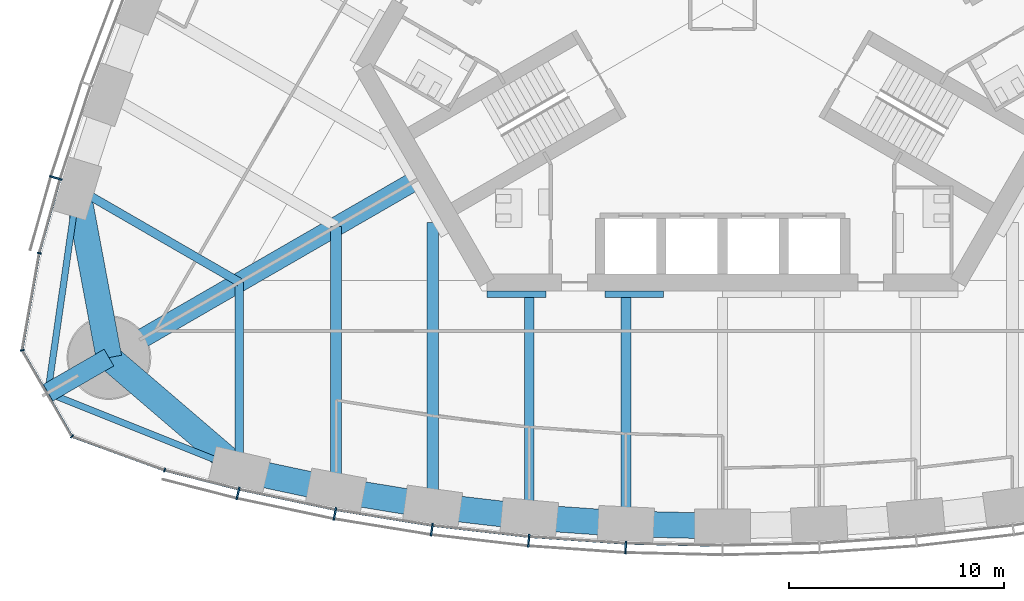
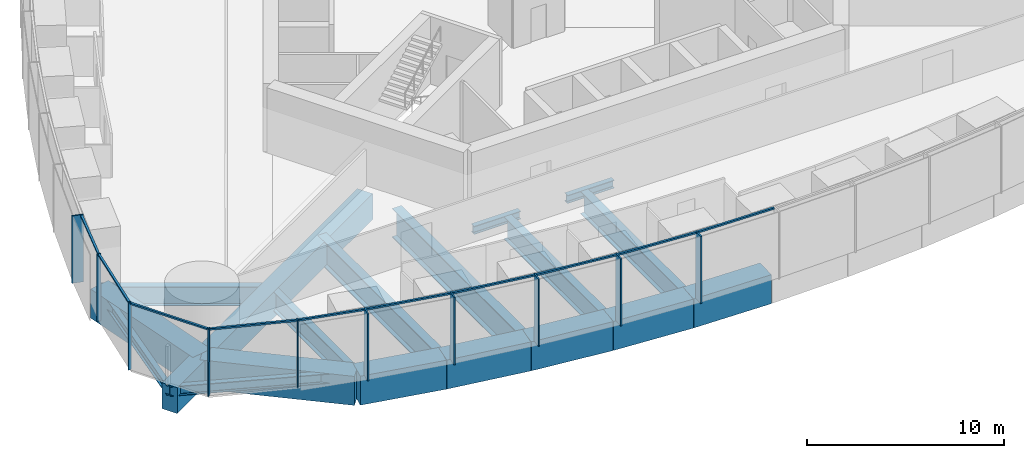
# One storey, part 2 of 19: 20 members, 19 beams, 3 elements without a shape of their own.
"""IFC4 building model written with IfcOpenShell, lengths in metres."""

from ifc_helpers import new_model, si_unit, direction, frame, origin, origin_2d, place, context, subcontext, project, spatial, rectangle, i_section, extrude, material, material_profile, profile_set, type_object, element, aggregate, save


model = new_model("IFC4")

# Units and contexts
model_context = context("Model", 3, precision=1e-05, world=origin(), true_north=direction((0.0, 1.0)))
body_context = subcontext(model_context, "Body", "Model", "MODEL_VIEW")
ifc_project = project(units=[si_unit("LENGTHUNIT", "METRE"), si_unit("AREAUNIT", "SQUARE_METRE"), si_unit("VOLUMEUNIT", "CUBIC_METRE"), si_unit("PLANEANGLEUNIT", "RADIAN"), si_unit("MASSUNIT", "GRAM", prefix="KILO")], contexts=[model_context])

# Site, building, storey
site_placement = place(None, origin())
site = spatial("IfcSite", under=ifc_project, at=site_placement, CompositionType="ELEMENT")
building_placement = place(site_placement, origin())
building = spatial("IfcBuilding", under=site, at=building_placement, Name="Trefoil Bronze Tower", CompositionType="ELEMENT")
storey_placement = place(building_placement, frame((0.0, 0.0, 189.699951171875)))
storey = spatial("IfcBuildingStorey", under=building, at=storey_placement, Name="L43", CompositionType="ELEMENT", Elevation=189.699951171875)

# Curtain wall, members
ifc_material_1 = material(Name="Tinted solar-control glass", Category="glass")
curtain_wall_type_1 = type_object("IfcCurtainWallType", Name="Bronze office curtain wall", PredefinedType="USERDEFINED", material=ifc_material_1)
curtain_wall_1_placement = place(storey_placement, origin())
curtain_wall_1 = element("IfcCurtainWall", 1, at=curtain_wall_1_placement, inside=storey, type_object=curtain_wall_type_1, Name="CW-A L43 F1", ObjectType="CURTAIN WALL", PredefinedType="USERDEFINED")
ifc_material_2 = material(Name="Bronze-finish aluminium", Category="aluminium")
ifc_material_profile_1 = material_profile(ifc_material_2, rectangle(XDim=0.60009765625, YDim=0.080078125, at=origin_2d()), Name="CW-A mullion")
ifc_profile_set_1 = profile_set([ifc_material_profile_1], Name="Bronze-finish aluminium")
member_type_1 = type_object("IfcMemberType", Name="Bronze office curtain wall mullion", PredefinedType="MULLION", material=ifc_profile_set_1)
member_1_placement = place(storey_placement, frame((-22.568115234375, -22.82421875, 0.0), z_axis=(0.0, 0.0, 1.0), x_axis=(0.227082662569, 0.973875487093, 0.0)))
member_1 = element("IfcMember", 2, at=member_1_placement, type_object=member_type_1, Name="CW-A L43 F1 mullion 2", PredefinedType="MULLION", context=body_context, shape_type="SweptSolid", body=[
    extrude(rectangle(XDim=0.60009765625, YDim=0.080078125, at=origin_2d()), origin(), (0.0, 0.0, 1.0), 4.179931640625),
])
member_2_placement = place(storey_placement, frame((-18.05517578125, -23.77783203125, 0.0), z_axis=(0.0, 0.0, 1.0), x_axis=(0.183825368167, 0.982958917767, 0.0)))
member_2 = element("IfcMember", 3, at=member_2_placement, type_object=member_type_1, Name="CW-A L43 F1 mullion 3", PredefinedType="MULLION", context=body_context, shape_type="SweptSolid", body=[
    extrude(rectangle(XDim=0.60009765625, YDim=0.080078125, at=origin_2d()), origin(), (0.0, 0.0, 1.0), 4.179931640625),
])
member_3_placement = place(storey_placement, frame((-13.541259765625, -24.51318359375, 0.0), z_axis=(0.0, 0.0, 1.0), x_axis=(0.137867887204, 0.990450627582, 0.0)))
member_3 = element("IfcMember", 4, at=member_3_placement, type_object=member_type_1, Name="CW-A L43 F1 mullion 4", PredefinedType="MULLION", context=body_context, shape_type="SweptSolid", body=[
    extrude(rectangle(XDim=0.60009765625, YDim=0.080078125, at=origin_2d()), origin(), (0.0, 0.0, 1.0), 4.179931640625),
])
member_4_placement = place(storey_placement, frame((-9.027587890625, -25.03515625, 0.0), z_axis=(0.0, 0.0, 1.0), x_axis=(0.091911396394, 0.995767189263, 0.0)))
member_4 = element("IfcMember", 5, at=member_4_placement, type_object=member_type_1, Name="CW-A L43 F1 mullion 5", PredefinedType="MULLION", context=body_context, shape_type="SweptSolid", body=[
    extrude(rectangle(XDim=0.60009765625, YDim=0.080078125, at=origin_2d()), origin(), (0.0, 0.0, 1.0), 4.179931640625),
])
member_5_placement = place(storey_placement, frame((-4.513671875, -25.346923828125, 0.0), z_axis=(0.0, 0.0, 1.0), x_axis=(0.045955542372, 0.998943485952, 0.0)))
member_5 = element("IfcMember", 6, at=member_5_placement, type_object=member_type_1, Name="CW-A L43 F1 mullion 6", PredefinedType="MULLION", context=body_context, shape_type="SweptSolid", body=[
    extrude(rectangle(XDim=0.60009765625, YDim=0.080078125, at=origin_2d()), origin(), (0.0, 0.0, 1.0), 4.179931640625),
])

# Curtain wall, member
curtain_wall_2_placement = place(storey_placement, origin())
curtain_wall_2 = element("IfcCurtainWall", 7, at=curtain_wall_2_placement, inside=storey, type_object=curtain_wall_type_1, Name="CW-A L43 F3", ObjectType="CURTAIN WALL", PredefinedType="USERDEFINED")
member_6_placement = place(storey_placement, frame((-31.05029296875, -8.132568359375, 0.0), z_axis=(0.0, 0.0, 1.0), x_axis=(0.95694224323, -0.290278389002, 0.0)))
member_6 = element("IfcMember", 8, at=member_6_placement, type_object=member_type_1, Name="CW-A L43 F3 mullion 12", PredefinedType="MULLION", context=body_context, shape_type="SweptSolid", body=[
    extrude(rectangle(XDim=0.60009765625, YDim=0.080078125, at=origin_2d()), origin(), (0.0, 0.0, 1.0), 4.179931640625),
])

# Member
ifc_material_3 = material(Name="Bronze-finish aluminium", Category="aluminium")
ifc_material_profile_2 = material_profile(ifc_material_3, rectangle(XDim=0.1201171875, YDim=0.10009765625, at=origin_2d()), Name="CW-A transom")
ifc_profile_set_2 = profile_set([ifc_material_profile_2], Name="Bronze-finish aluminium")
member_type_2 = type_object("IfcMemberType", Name="Bronze office curtain wall transom", PredefinedType="USERDEFINED", material=ifc_profile_set_2)
member_7_placement = place(storey_placement, frame((-25.93896484375, -21.75732421875, 4.130126953125), z_axis=(0.968935220916, -0.247314653162, 0.0), x_axis=(0.247314653162, 0.968935220916, 0.0)))
member_7 = element("IfcMember", 9, at=member_7_placement, type_object=member_type_2, Name="CW-A L43 F1 transom 1", ObjectType="TRANSOM", PredefinedType="USERDEFINED", context=body_context, shape_type="SweptSolid", body=[
    extrude(rectangle(XDim=0.1201171875, YDim=0.10009765625, at=origin_2d()), origin(), (0.0, 0.0, 1.0), 3.483642578125),
])

member_8_placement = place(storey_placement, frame((-22.4814453125, -22.63818359375, 4.130126953125), z_axis=(0.978395325657, -0.20674280334, 0.0), x_axis=(0.20674280334, 0.978395325657, 0.0)))
member_8 = element("IfcMember", 10, at=member_8_placement, type_object=member_type_2, Name="CW-A L43 F1 transom 2", ObjectType="TRANSOM", PredefinedType="USERDEFINED", context=body_context, shape_type="SweptSolid", body=[
    extrude(rectangle(XDim=0.1201171875, YDim=0.10009765625, at=origin_2d()), origin(), (0.0, 0.0, 1.0), 4.519287109375),
])

member_9_placement = place(storey_placement, frame((-17.9765625, -23.588134765625, 4.130126953125), z_axis=(0.986988367046, -0.160791676761, 0.0), x_axis=(0.160791676761, 0.986988367046, 0.0)))
member_9 = element("IfcMember", 11, at=member_9_placement, type_object=member_type_2, Name="CW-A L43 F1 transom 3", ObjectType="TRANSOM", PredefinedType="USERDEFINED", context=body_context, shape_type="SweptSolid", body=[
    extrude(rectangle(XDim=0.1201171875, YDim=0.10009765625, at=origin_2d()), origin(), (0.0, 0.0, 1.0), 4.479248046875),
])

member_10_placement = place(storey_placement, frame((-13.4716796875, -24.320068359375, 4.130126953125), z_axis=(0.993384885596, -0.114832352013, 0.0), x_axis=(0.114832352013, 0.993384885596, 0.0)))
member_10 = element("IfcMember", 12, at=member_10_placement, type_object=member_type_2, Name="CW-A L43 F1 transom 4", ObjectType="TRANSOM", PredefinedType="USERDEFINED", context=body_context, shape_type="SweptSolid", body=[
    extrude(rectangle(XDim=0.1201171875, YDim=0.10009765625, at=origin_2d()), origin(), (0.0, 0.0, 1.0), 4.449951171875),
])

member_11_placement = place(storey_placement, frame((-8.967041015625, -24.8388671875, 4.130126953125), z_axis=(0.997621320987, -0.06893257512, 0.0), x_axis=(0.06893257512, 0.997621320987, 0.0)))
member_11 = element("IfcMember", 13, at=member_11_placement, type_object=member_type_2, Name="CW-A L43 F1 transom 5", ObjectType="TRANSOM", PredefinedType="USERDEFINED", context=body_context, shape_type="SweptSolid", body=[
    extrude(rectangle(XDim=0.1201171875, YDim=0.10009765625, at=origin_2d()), origin(), (0.0, 0.0, 1.0), 4.4306640625),
])

member_12_placement = place(storey_placement, frame((-4.46240234375, -25.148193359375, 4.130126953125), z_axis=(0.999736131416, -0.022971015226, 0.0), x_axis=(0.022971015226, 0.999736131416, 0.0)))
member_12 = element("IfcMember", 14, at=member_12_placement, type_object=member_type_2, Name="CW-A L43 F1 transom 6", ObjectType="TRANSOM", PredefinedType="USERDEFINED", context=body_context, shape_type="SweptSolid", body=[
    extrude(rectangle(XDim=0.1201171875, YDim=0.10009765625, at=origin_2d()), origin(), (0.0, 0.0, 1.0), 4.42138671875),
])

aggregate(curtain_wall_1, [member_1, member_2, member_3, member_4, member_5, member_7, member_8, member_9, member_10, member_11, member_12])

member_13_placement = place(storey_placement, frame((-30.870361328125, -8.23095703125, 4.130126953125), z_axis=(-0.270284880437, -0.962780392097, 0.0), x_axis=(0.962780392097, -0.270284880437, 0.0)))
member_13 = element("IfcMember", 15, at=member_13_placement, type_object=member_type_2, Name="CW-A L43 F3 transom 12", ObjectType="TRANSOM", PredefinedType="USERDEFINED", context=body_context, shape_type="SweptSolid", body=[
    extrude(rectangle(XDim=0.1201171875, YDim=0.10009765625, at=origin_2d()), origin(), (0.0, 0.0, 1.0), 3.48388671875),
])

aggregate(curtain_wall_2, [member_6, member_13])

# Curtain wall, members
ifc_material_4 = material(Name="Tinted solar-control glass", Category="glass")
curtain_wall_type_2 = type_object("IfcCurtainWallType", Name="Bronze rounded corner curtain wall", PredefinedType="USERDEFINED", material=ifc_material_4)
curtain_wall_3_placement = place(storey_placement, origin())
curtain_wall_3 = element("IfcCurtainWall", 16, at=curtain_wall_3_placement, inside=storey, type_object=curtain_wall_type_2, Name="CW-B L43 K3", ObjectType="CURTAIN WALL", PredefinedType="USERDEFINED")
ifc_material_5 = material(Name="Bronze-finish aluminium", Category="aluminium")
ifc_material_profile_3 = material_profile(ifc_material_5, rectangle(XDim=0.199951171875, YDim=0.06005859375, at=origin_2d()), Name="CW-B mullion")
ifc_profile_set_3 = profile_set([ifc_material_profile_3], Name="Bronze-finish aluminium")
member_type_3 = type_object("IfcMemberType", Name="Bronze rounded corner curtain wall mullion", PredefinedType="MULLION", material=ifc_profile_set_3)
member_14_placement = place(storey_placement, frame((-31.824951171875, -11.63330078125, 0.0), z_axis=(0.0, 0.0, 1.0), x_axis=(0.984807753012, -0.173648177667, 0.0)))
member_14 = element("IfcMember", 17, at=member_14_placement, type_object=member_type_3, Name="CW-B L43 K3 mullion 1", PredefinedType="MULLION", context=body_context, shape_type="SweptSolid", body=[
    extrude(rectangle(XDim=0.199951171875, YDim=0.06005859375, at=origin_2d()), origin(), (0.0, 0.0, 1.0), 4.179931640625),
])
member_15_placement = place(storey_placement, frame((-32.616943359375, -16.158935546875, 0.0), z_axis=(0.0, 0.0, 1.0), x_axis=(0.984807753012, 0.173648177667, 0.0)))
member_15 = element("IfcMember", 18, at=member_15_placement, type_object=member_type_3, Name="CW-B L43 K3 mullion 2", PredefinedType="MULLION", context=body_context, shape_type="SweptSolid", body=[
    extrude(rectangle(XDim=0.199951171875, YDim=0.06005859375, at=origin_2d()), origin(), (0.0, 0.0, 1.0), 4.179931640625),
])
member_16_placement = place(storey_placement, frame((-30.302490234375, -20.16748046875, 0.0), z_axis=(0.0, 0.0, 1.0), x_axis=(0.642787609687, 0.766044443119, 0.0)))
member_16 = element("IfcMember", 19, at=member_16_placement, type_object=member_type_3, Name="CW-B L43 K3 mullion 3", PredefinedType="MULLION", context=body_context, shape_type="SweptSolid", body=[
    extrude(rectangle(XDim=0.199951171875, YDim=0.06005859375, at=origin_2d()), origin(), (0.0, 0.0, 1.0), 4.179931640625),
])
member_17_placement = place(storey_placement, frame((-25.9873046875, -21.74462890625, 0.0), z_axis=(0.0, 0.0, 1.0), x_axis=(0.342020143326, 0.939692620786, 0.0)))
member_17 = element("IfcMember", 20, at=member_17_placement, type_object=member_type_3, Name="CW-B L43 K3 mullion 4", PredefinedType="MULLION", context=body_context, shape_type="SweptSolid", body=[
    extrude(rectangle(XDim=0.199951171875, YDim=0.06005859375, at=origin_2d()), origin(), (0.0, 0.0, 1.0), 4.179931640625),
])
ifc_material_6 = material(Name="Bronze-finish aluminium", Category="aluminium")
ifc_material_profile_4 = material_profile(ifc_material_6, rectangle(XDim=0.1201171875, YDim=0.10009765625, at=origin_2d()), Name="CW-B transom")
ifc_profile_set_4 = profile_set([ifc_material_profile_4], Name="Bronze-finish aluminium")
member_type_4 = type_object("IfcMemberType", Name="Bronze rounded corner curtain wall transom", PredefinedType="USERDEFINED", material=ifc_profile_set_4)
member_18_placement = place(storey_placement, frame((-31.830078125, -11.662841796875, 4.130126953125), z_axis=(-0.173655350028, -0.984806488304, 0.0), x_axis=(0.984806488304, -0.173655350028, 0.0)))
member_18 = element("IfcMember", 21, at=member_18_placement, type_object=member_type_4, Name="CW-B L43 K3 transom 1", ObjectType="TRANSOM", PredefinedType="USERDEFINED", context=body_context, shape_type="SweptSolid", body=[
    extrude(rectangle(XDim=0.1201171875, YDim=0.10009765625, at=origin_2d()), origin(), (0.0, 0.0, 1.0), 4.500244140625),
])
member_19_placement = place(storey_placement, frame((-32.590087890625, -16.217529296875, 4.130126953125), z_axis=(0.500007335828, -0.866021168401, 0.0), x_axis=(0.866021168401, 0.500007335828, 0.0)))
member_19 = element("IfcMember", 22, at=member_19_placement, type_object=member_type_4, Name="CW-B L43 K3 transom 2", ObjectType="TRANSOM", PredefinedType="USERDEFINED", context=body_context, shape_type="SweptSolid", body=[
    extrude(rectangle(XDim=0.1201171875, YDim=0.10009765625, at=origin_2d()), origin(), (0.0, 0.0, 1.0), 4.50048828125),
])
member_20_placement = place(storey_placement, frame((-30.244140625, -20.195068359375, 4.130126953125), z_axis=(0.939680910753, -0.342052314664, 0.0), x_axis=(0.342052314664, 0.939680910753, 0.0)))
member_20 = element("IfcMember", 23, at=member_20_placement, type_object=member_type_4, Name="CW-B L43 K3 transom 3", ObjectType="TRANSOM", PredefinedType="USERDEFINED", context=body_context, shape_type="SweptSolid", body=[
    extrude(rectangle(XDim=0.1201171875, YDim=0.10009765625, at=origin_2d()), origin(), (0.0, 0.0, 1.0), 4.500244140625),
])
aggregate(curtain_wall_3, [member_14, member_15, member_16, member_17, member_18, member_19, member_20])

# Beams
ifc_material_7 = material(Name="Steel C355", Category="steel")
ifc_material_profile_5 = material_profile(ifc_material_7, i_section(OverallWidth=0.300048828125, OverallDepth=0.5, WebThickness=0.014404296875, FlangeThickness=0.028076171875, FilletRadius=0.027099609375, at=origin_2d()), Name="HEB 500")
ifc_profile_set_5 = profile_set([ifc_material_profile_5], Name="Steel C355")
beam_type_1 = type_object("IfcBeamType", Name="Core seat beam HEB 500", PredefinedType="BEAM", material=ifc_profile_set_5)
for number, where, z_axis, x_axis, name in (
    (24, (-10.9697265625, -13.550048828125, -0.449951171875), (1.0, 0.0, 0.0), (0.0, 1.0, 0.0), "Core seat beam F1/-2 L43"),
    (25, (-5.48486328125, -13.550048828125, -0.449951171875), (1.0, 0.0, 0.0), (0.0, 1.0, 0.0), "Core seat beam F1/-1 L43"),
):
    element("IfcBeam", number, at=place(storey_placement, frame(where, z_axis=z_axis, x_axis=x_axis)), inside=storey, type_object=beam_type_1, Name=name, PredefinedType="BEAM", context=body_context, shape_type="SweptSolid", body=[
        extrude(i_section(OverallWidth=0.300048828125, OverallDepth=0.5, WebThickness=0.014404296875, FlangeThickness=0.028076171875, FilletRadius=0.027099609375, at=origin_2d()), origin(), (0.0, 0.0, 1.0), 2.742431640625),
    ])
ifc_material_8 = material(Name="Concrete B80", Category="concrete")
ifc_material_profile_6 = material_profile(ifc_material_8, rectangle(XDim=0.89990234375, YDim=1.60009765625, at=origin_2d()), Name="RC 900x1600")
ifc_profile_set_6 = profile_set([ifc_material_profile_6], Name="Concrete B80")
beam_type_2 = type_object("IfcBeamType", Name="Corner cantilever RC 900x1600", PredefinedType="BEAM", material=ifc_profile_set_6)
beam_1_placement = place(storey_placement, frame((-28.578857421875, -16.5, -1.0), z_axis=(-0.866016004958, -0.500016278891, 0.0), x_axis=(0.500016278891, -0.866016004958, 0.0)))
element("IfcBeam", 26, at=beam_1_placement, inside=storey, type_object=beam_type_2, Name="Corner cantilever K3 L43", PredefinedType="BEAM", context=body_context, shape_type="SweptSolid", body=[
    extrude(rectangle(XDim=0.89990234375, YDim=1.60009765625, at=origin_2d()), origin(), (0.0, 0.0, 1.0), 3.28466796875),
])
ifc_material_9 = material(Name="Steel C355", Category="steel")
ifc_material_profile_7 = material_profile(ifc_material_9, i_section(OverallWidth=0.300048828125, OverallDepth=0.60009765625, WebThickness=0.015380859375, FlangeThickness=0.030029296875, FilletRadius=0.027099609375, at=origin_2d()), Name="HEB 600")
ifc_profile_set_7 = profile_set([ifc_material_profile_7], Name="Steel C355")
beam_type_3 = type_object("IfcBeamType", Name="Corner edge beam HEB 600", PredefinedType="BEAM", material=ifc_profile_set_7)
for number, where, z_axis, x_axis, name in (
    (27, (-22.5, -21.71044921875, -0.5), (-0.92852048463, 0.371281173266, 0.0), (-0.371281173266, -0.92852048463, 0.0), "Corner edge beam F1B L43"),
    (28, (-30.052001953125, -8.63037109375, -0.5), (-0.142694489722, -0.989766781925, 0.0), (0.989766781925, -0.142694489722, 0.0), "Corner edge beam F3A L43"),
):
    element("IfcBeam", number, at=place(storey_placement, frame(where, z_axis=z_axis, x_axis=x_axis)), inside=storey, type_object=beam_type_3, Name=name, PredefinedType="BEAM", context=body_context, shape_type="SweptSolid", body=[
        extrude(i_section(OverallWidth=0.300048828125, OverallDepth=0.60009765625, WebThickness=0.015380859375, FlangeThickness=0.030029296875, FilletRadius=0.027099609375, at=origin_2d()), origin(), (0.0, 0.0, 1.0), 9.6103515625),
    ])
ifc_material_10 = material(Name="Concrete B80", Category="concrete")
ifc_material_profile_8 = material_profile(ifc_material_10, rectangle(XDim=0.89990234375, YDim=1.60009765625, at=origin_2d()), Name="RC 900x1600")
ifc_profile_set_8 = profile_set([ifc_material_profile_8], Name="Concrete B80")
beam_type_4 = type_object("IfcBeamType", Name="Corner girder RC 900x1600", PredefinedType="BEAM", material=ifc_profile_set_8)
beam_2_placement = place(storey_placement, frame((-14.202880859375, -8.199951171875, -1.0), z_axis=(-0.866023450265, -0.500003383579, 0.0), x_axis=(0.500003383579, -0.866023450265, 0.0)))
element("IfcBeam", 29, at=beam_2_placement, inside=storey, type_object=beam_type_4, Name="Corner girder K3 L43", PredefinedType="BEAM", context=body_context, shape_type="SweptSolid", body=[
    extrude(rectangle(XDim=0.89990234375, YDim=1.60009765625, at=origin_2d()), origin(), (0.0, 0.0, 1.0), 16.60009765625),
])
ifc_material_11 = material(Name="Concrete B80", Category="concrete")
ifc_material_profile_9 = material_profile(ifc_material_11, rectangle(XDim=1.199951171875, YDim=1.800048828125, at=origin_2d()), Name="RC 1200x1800")
ifc_profile_set_9 = profile_set([ifc_material_profile_9], Name="Concrete B80")
beam_type_5 = type_object("IfcBeamType", Name="End spandrel beam RC 1200x1800", PredefinedType="SPANDREL", material=ifc_profile_set_9)
for number, where, z_axis, x_axis, name in (
    (30, (-28.578857421875, -16.5, -1.099853515625), (0.759256602365, -0.650791373456, 0.0), (0.650791373456, 0.759256602365, 0.0), "Spandrel F1.1 L43"),
    (31, (-30.052001953125, -8.63037109375, -1.099853515625), (0.18399763073, -0.982926686933, 0.0), (0.982926686933, 0.18399763073, 0.0), "Spandrel F3.12 L43"),
):
    element("IfcBeam", number, at=place(storey_placement, frame(where, z_axis=z_axis, x_axis=x_axis)), inside=storey, type_object=beam_type_5, Name=name, PredefinedType="SPANDREL", context=body_context, shape_type="SweptSolid", body=[
        extrude(rectangle(XDim=1.199951171875, YDim=1.800048828125, at=origin_2d()), origin(), (0.0, 0.0, 1.0), 8.00634765625),
    ])
ifc_material_12 = material(Name="Steel C355", Category="steel")
ifc_material_profile_10 = material_profile(ifc_material_12, i_section(OverallWidth=0.39990234375, OverallDepth=1.199951171875, WebThickness=0.02001953125, FlangeThickness=0.0400390625, FilletRadius=0.010009765625, at=origin_2d()), Name="WPG 1200")
ifc_profile_set_10 = profile_set([ifc_material_profile_10], Name="Steel C355")
beam_type_6 = type_object("IfcBeamType", Name="Floor beam WPG 1200", PredefinedType="BEAM", material=ifc_profile_set_10)
beam_3_placement = place(storey_placement, frame((-22.5, -21.71044921875, -0.800048828125), z_axis=(0.0, 1.0, 0.0), x_axis=(-1.0, 0.0, 0.0)))
element("IfcBeam", 32, at=beam_3_placement, inside=storey, type_object=beam_type_6, Name="Floor beam F1/-5 L43", PredefinedType="BEAM", context=body_context, shape_type="SweptSolid", body=[
    extrude(i_section(OverallWidth=0.39990234375, OverallDepth=1.199951171875, WebThickness=0.02001953125, FlangeThickness=0.0400390625, FilletRadius=0.010009765625, at=origin_2d()), origin(), (0.0, 0.0, 1.0), 8.719970703125),
])
beam_4_placement = place(storey_placement, frame((-30.052001953125, -8.63037109375, -0.800048828125), z_axis=(0.866027535932, -0.499996306993, 0.0), x_axis=(0.499996306993, 0.866027535932, 0.0)))
element("IfcBeam", 33, at=beam_4_placement, inside=storey, type_object=beam_type_6, Name="Floor beam F3/+5 L43", PredefinedType="BEAM", context=body_context, shape_type="SweptSolid", body=[
    extrude(i_section(OverallWidth=0.39990234375, OverallDepth=1.199951171875, WebThickness=0.02001953125, FlangeThickness=0.0400390625, FilletRadius=0.010009765625, at=origin_2d()), origin(), (0.0, 0.0, 1.0), 8.72021484375),
])
ifc_material_13 = material(Name="Steel C355", Category="steel")
ifc_material_profile_11 = material_profile(ifc_material_13, i_section(OverallWidth=0.449951171875, OverallDepth=1.39990234375, WebThickness=0.02294921875, FlangeThickness=0.044921875, FilletRadius=0.011962890625, at=origin_2d()), Name="WPG 1400")
ifc_profile_set_11 = profile_set([ifc_material_profile_11], Name="Steel C355")
beam_type_7 = type_object("IfcBeamType", Name="Floor beam WPG 1400", PredefinedType="BEAM", material=ifc_profile_set_11)
beam_5_placement = place(storey_placement, frame((-9.0, -23.932861328125, -0.89990234375), z_axis=(0.0, 1.0, 0.0), x_axis=(-1.0, 0.0, 0.0)))
element("IfcBeam", 34, at=beam_5_placement, inside=storey, type_object=beam_type_7, Name="Floor beam F1/-2 L43", PredefinedType="BEAM", context=body_context, shape_type="SweptSolid", body=[
    extrude(i_section(OverallWidth=0.449951171875, OverallDepth=1.39990234375, WebThickness=0.02294921875, FlangeThickness=0.044921875, FilletRadius=0.011962890625, at=origin_2d()), origin(), (0.0, 0.0, 1.0), 10.23291015625),
])
beam_6_placement = place(storey_placement, frame((-4.5, -24.246337890625, -0.89990234375), z_axis=(0.0, 1.0, 0.0), x_axis=(-1.0, 0.0, 0.0)))
element("IfcBeam", 35, at=beam_6_placement, inside=storey, type_object=beam_type_7, Name="Floor beam F1/-1 L43", PredefinedType="BEAM", context=body_context, shape_type="SweptSolid", body=[
    extrude(i_section(OverallWidth=0.449951171875, OverallDepth=1.39990234375, WebThickness=0.02294921875, FlangeThickness=0.044921875, FilletRadius=0.011962890625, at=origin_2d()), origin(), (0.0, 0.0, 1.0), 10.54638671875),
])
ifc_material_14 = material(Name="Steel C355", Category="steel")
ifc_material_profile_12 = material_profile(ifc_material_14, i_section(OverallWidth=0.5, OverallDepth=1.60009765625, WebThickness=0.02587890625, FlangeThickness=0.050048828125, FilletRadius=0.011962890625, at=origin_2d()), Name="WPG 1600")
ifc_profile_set_12 = profile_set([ifc_material_profile_12], Name="Steel C355")
beam_type_8 = type_object("IfcBeamType", Name="Floor beam WPG 1600", PredefinedType="BEAM", material=ifc_profile_set_12)
beam_7_placement = place(storey_placement, frame((-18.0, -22.6689453125, -1.0), z_axis=(0.0, 1.0, 0.0), x_axis=(-1.0, 0.0, 0.0)))
element("IfcBeam", 36, at=beam_7_placement, inside=storey, type_object=beam_type_8, Name="Floor beam F1/-4 L43", PredefinedType="BEAM", context=body_context, shape_type="SweptSolid", body=[
    extrude(i_section(OverallWidth=0.5, OverallDepth=1.60009765625, WebThickness=0.02587890625, FlangeThickness=0.050048828125, FilletRadius=0.011962890625, at=origin_2d()), origin(), (0.0, 0.0, 1.0), 12.276611328125),
])
ifc_material_15 = material(Name="Steel C355", Category="steel")
ifc_material_profile_13 = material_profile(ifc_material_15, i_section(OverallWidth=0.550048828125, OverallDepth=1.800048828125, WebThickness=0.029052734375, FlangeThickness=0.054931640625, FilletRadius=0.013916015625, at=origin_2d()), Name="WPG 1800")
ifc_profile_set_13 = profile_set([ifc_material_profile_13], Name="Steel C355")
beam_type_9 = type_object("IfcBeamType", Name="Floor beam WPG 1800", PredefinedType="BEAM", material=ifc_profile_set_13)
beam_8_placement = place(storey_placement, frame((-13.5, -23.408447265625, -1.099853515625), z_axis=(0.0, 1.0, 0.0), x_axis=(-1.0, 0.0, 0.0)))
element("IfcBeam", 37, at=beam_8_placement, inside=storey, type_object=beam_type_9, Name="Floor beam F1/-3 L43", PredefinedType="BEAM", context=body_context, shape_type="SweptSolid", body=[
    extrude(i_section(OverallWidth=0.550048828125, OverallDepth=1.800048828125, WebThickness=0.029052734375, FlangeThickness=0.054931640625, FilletRadius=0.013916015625, at=origin_2d()), origin(), (0.0, 0.0, 1.0), 13.191162109375),
])
ifc_material_16 = material(Name="Concrete B80", Category="concrete")
ifc_material_profile_14 = material_profile(ifc_material_16, rectangle(XDim=1.199951171875, YDim=1.800048828125, at=origin_2d()), Name="RC 1200x1800")
ifc_profile_set_14 = profile_set([ifc_material_profile_14], Name="Concrete B80")
beam_type_10 = type_object("IfcBeamType", Name="Spandrel beam RC 1200x1800", PredefinedType="SPANDREL", material=ifc_profile_set_14)
beam_9_placement = place(storey_placement, frame((-22.5, -21.71044921875, -1.099853515625), z_axis=(0.978059483036, -0.208325820877, 0.0), x_axis=(0.208325820877, 0.978059483036, 0.0)))
element("IfcBeam", 38, at=beam_9_placement, inside=storey, type_object=beam_type_10, Name="Spandrel F1.2 L43", PredefinedType="SPANDREL", context=body_context, shape_type="SweptSolid", body=[
    extrude(rectangle(XDim=1.199951171875, YDim=1.800048828125, at=origin_2d()), origin(), (0.0, 0.0, 1.0), 4.600830078125),
])
beam_10_placement = place(storey_placement, frame((-18.0, -22.6689453125, -1.099853515625), z_axis=(0.986764681833, -0.162158757664, 0.0), x_axis=(0.162158757664, 0.986764681833, 0.0)))
element("IfcBeam", 39, at=beam_10_placement, inside=storey, type_object=beam_type_10, Name="Spandrel F1.3 L43", PredefinedType="SPANDREL", context=body_context, shape_type="SweptSolid", body=[
    extrude(rectangle(XDim=1.199951171875, YDim=1.800048828125, at=origin_2d()), origin(), (0.0, 0.0, 1.0), 4.560302734375),
])
beam_11_placement = place(storey_placement, frame((-13.5, -23.408447265625, -1.099853515625), z_axis=(0.993278017132, -0.115753102257, 0.0), x_axis=(0.115753102257, 0.993278017132, 0.0)))
element("IfcBeam", 40, at=beam_11_placement, inside=storey, type_object=beam_type_10, Name="Spandrel F1.4 L43", PredefinedType="SPANDREL", context=body_context, shape_type="SweptSolid", body=[
    extrude(rectangle(XDim=1.199951171875, YDim=1.800048828125, at=origin_2d()), origin(), (0.0, 0.0, 1.0), 4.530517578125),
])
beam_12_placement = place(storey_placement, frame((-9.0, -23.932861328125, -1.099853515625), z_axis=(0.997582435881, -0.069493047291, 0.0), x_axis=(0.069493047291, 0.997582435881, 0.0)))
element("IfcBeam", 41, at=beam_12_placement, inside=storey, type_object=beam_type_10, Name="Spandrel F1.5 L43", PredefinedType="SPANDREL", context=body_context, shape_type="SweptSolid", body=[
    extrude(rectangle(XDim=1.199951171875, YDim=1.800048828125, at=origin_2d()), origin(), (0.0, 0.0, 1.0), 4.510986328125),
])
beam_13_placement = place(storey_placement, frame((-4.5, -24.246337890625, -1.099853515625), z_axis=(0.999731770792, -0.023160018779, 0.0), x_axis=(0.023160018779, 0.999731770792, 0.0)))
element("IfcBeam", 42, at=beam_13_placement, inside=storey, type_object=beam_type_10, Name="Spandrel F1.6 L43", PredefinedType="SPANDREL", context=body_context, shape_type="SweptSolid", body=[
    extrude(rectangle(XDim=1.199951171875, YDim=1.800048828125, at=origin_2d()), origin(), (0.0, 0.0, 1.0), 4.501220703125),
])

save(model, "model.ifc")
